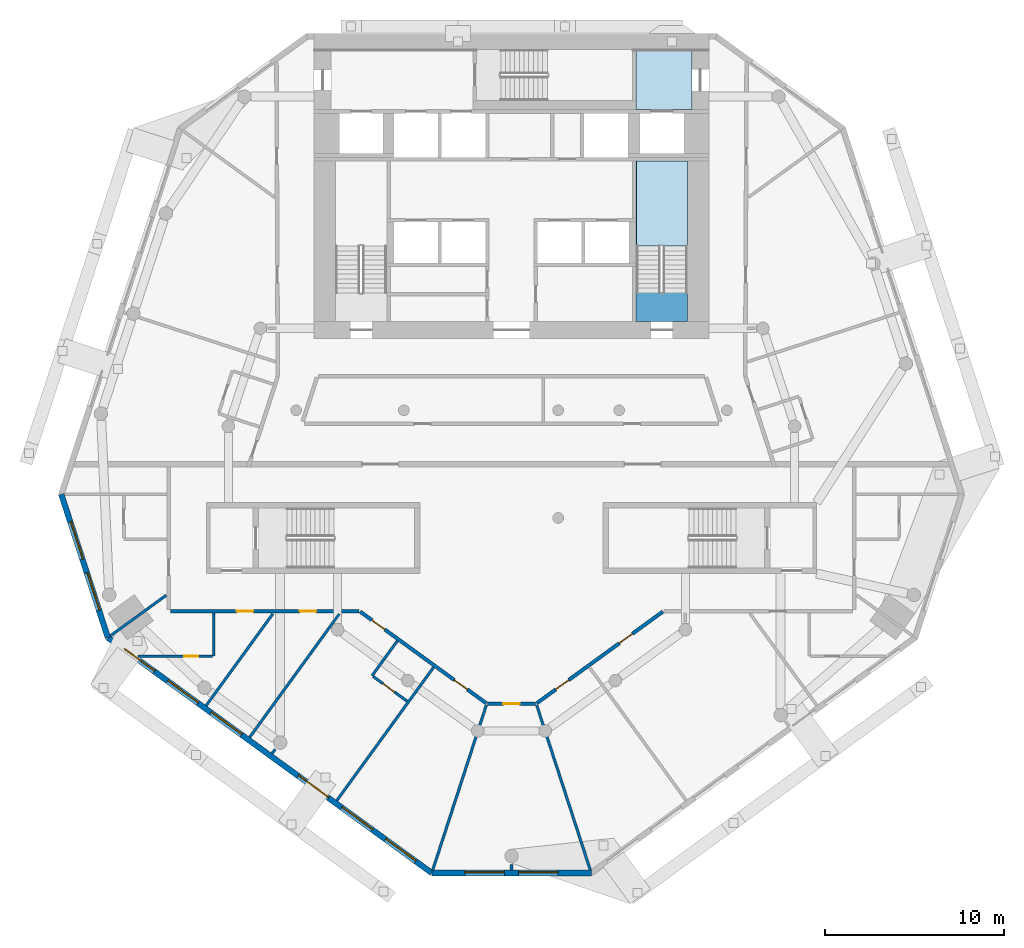
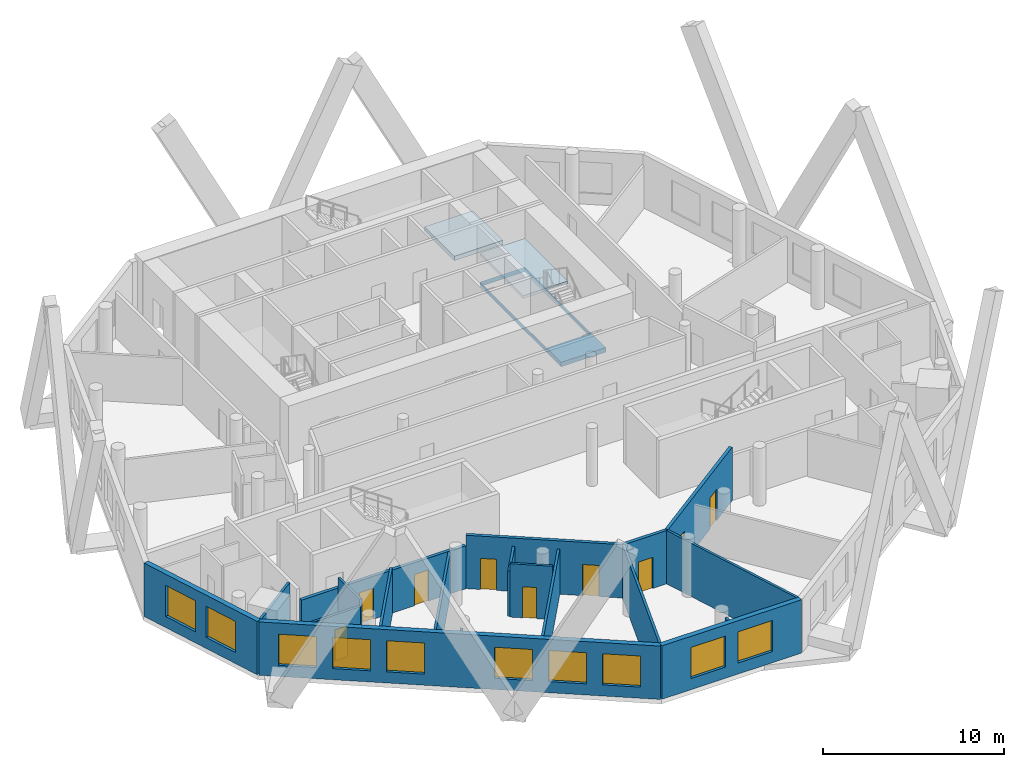
# One storey, part 3 of 10: 19 walls, 10 windows, 9 doors, 3 slabs, 19 openings, 1 element without a shape of its own.
"""IFC4 building model written with IfcOpenShell, lengths in metres."""

from ifc_helpers import new_model, si_unit, direction, frame, frame_2d, origin, place, context, subcontext, project, spatial, polyline, rectangle, outline, extrude, material, layer, layer_set, type_object, element, fill, aggregate, save


model = new_model("IFC4")

# Units and contexts
model_context = context("Model", 3, precision=1e-05, world=origin(), true_north=direction((0.0, 1.0)))
body_context = subcontext(model_context, "Body", "Model", "MODEL_VIEW")
ifc_project = project(units=[si_unit("LENGTHUNIT", "METRE"), si_unit("AREAUNIT", "SQUARE_METRE"), si_unit("VOLUMEUNIT", "CUBIC_METRE"), si_unit("PLANEANGLEUNIT", "RADIAN"), si_unit("MASSUNIT", "GRAM", prefix="KILO")], contexts=[model_context])

# Site, building, storey
site_placement = place(None, origin())
site = spatial("IfcSite", under=ifc_project, at=site_placement, CompositionType="ELEMENT")
building_placement = place(site_placement, origin())
building = spatial("IfcBuilding", under=site, at=building_placement, Name="White Candle Pilgrim Tower", CompositionType="ELEMENT")
storey_placement = place(building_placement, frame((0.0, 0.0, 172.0)))
storey = spatial("IfcBuildingStorey", under=building, at=storey_placement, Name="L39", CompositionType="ELEMENT", Elevation=172.0)

# Slabs
ifc_material_1 = material(Name="Concrete C40/50", Category="concrete")
ifc_layer_1 = layer(ifc_material_1, 0.300048828125)
ifc_layer_set_1 = layer_set([ifc_layer_1], Name="Core floor slab 300 mm Concrete C40/50")
slab_type_1 = type_object("IfcSlabType", Name="Core floor slab 300 mm Concrete C40/50", PredefinedType="FLOOR", material=ifc_layer_set_1)
slab_1_placement = place(storey_placement, frame((0.0, 0.0, -0.300048828125)))
element("IfcSlab", 1, at=slab_1_placement, inside=storey, type_object=slab_type_1, Name="CF-L39-06", PredefinedType="FLOOR", context=body_context, shape_type="SweptSolid", body=[
    extrude(outline(polyline([(80.050048828125, 87.050048828125), (80.050048828125, 83.75), (76.949951171875, 83.75), (76.949951171875, 84.25), (76.949951171875, 87.050048828125), (80.050048828125, 87.050048828125)])), origin(), (0.0, 0.0, 1.0), 0.300048828125),
])
slab_2_placement = place(storey_placement, frame((0.0, 0.0, -0.300048828125)))
element("IfcSlab", 2, at=slab_2_placement, inside=storey, type_object=slab_type_1, Name="CF-L39-07", PredefinedType="FLOOR", context=body_context, shape_type="SweptSolid", body=[
    extrude(outline(polyline([(76.949951171875, 71.949951171875), (76.949951171875, 75.0), (76.949951171875, 75.199951171875), (76.949951171875, 77.5), (76.949951171875, 77.699951171875), (76.949951171875, 80.89990234375), (79.800048828125, 80.89990234375), (79.800048828125, 71.949951171875), (76.949951171875, 71.949951171875)]), holes=[polyline([(76.951904296875, 73.552001953125), (79.798095703125, 73.552001953125), (79.798095703125, 80.89794921875), (76.951904296875, 80.89794921875), (76.951904296875, 73.552001953125)])]), origin(), (0.0, 0.0, 1.0), 0.300048828125),
])

# Stair, slab
stair_type = type_object("IfcStairType", Name="Exit stair 2 flight width 1350 mm", PredefinedType="HALF_TURN_STAIR", material=ifc_material_1)
stair_placement = place(storey_placement, origin())
stair = element("IfcStair", 3, at=stair_placement, inside=storey, type_object=stair_type, Name="L39 stair 2", PredefinedType="NOTDEFINED")
ifc_layer_2 = layer(ifc_material_1, 0.199951171875)
ifc_layer_set_2 = layer_set([ifc_layer_2], Name="Stair landing Concrete C40/50")
slab_type_2 = type_object("IfcSlabType", Name="Stair landing Concrete C40/50", PredefinedType="LANDING", material=ifc_layer_set_2)
slab_3_placement = place(storey_placement, frame((0.0, 0.0, 1.75)))
slab_3 = element("IfcSlab", 4, at=slab_3_placement, type_object=slab_type_2, Name="ST2 landing 1", PredefinedType="LANDING", context=body_context, shape_type="SweptSolid", body=[
    extrude(outline(polyline([(79.802001953125, 76.14794921875), (76.947998046875, 76.14794921875), (76.947998046875, 80.902099609375), (79.802001953125, 80.902099609375), (79.802001953125, 76.14794921875)])), origin(), (0.0, 0.0, 1.0), 0.199951171875),
])
aggregate(stair, [slab_3])

# Wall, openings, doors
ifc_material_2 = material(Name="Gypsum board on steel studs", Category="steel")
ifc_layer_3 = layer(ifc_material_2, 0.199951171875)
ifc_layer_set_3 = layer_set([ifc_layer_3], Name="Corridor wall 200 mm EI 45")
wall_type_1 = type_object("IfcWallType", Name="Corridor wall 200 mm EI 45", PredefinedType="PARTITIONING", material=ifc_layer_set_3)
wall_1_placement = place(storey_placement, frame((78.434326171875, 55.781005859375, 0.0), z_axis=(0.0, 0.0, 1.0), x_axis=(-0.809005658497, -0.587800854474, 0.0)))
wall_1 = element("IfcWall", 5, at=wall_1_placement, inside=storey, type_object=wall_type_1, Name="WL-L39-P008", PredefinedType="PARTITIONING", context=body_context, shape_type="SweptSolid", body=[
    extrude(rectangle(XDim=8.69140625, YDim=0.199951171875, at=frame_2d((4.345703125, 0.0))), origin(), (0.0, 0.0, 1.0), 3.60009765625),
])
opening_1_placement = place(wall_1_placement, frame((6.4794921875, 0.0, 0.0)))
opening_1 = element("IfcOpeningElement", 6, at=opening_1_placement, cuts=wall_1, Name="Opening T12-111", PredefinedType="OPENING", context=body_context, shape_type="SweptSolid", body=[
    extrude(rectangle(XDim=0.89990234375, YDim=2.10009765625, at=frame_2d((0.449951171875, 1.050048828125))), frame((0.0, 0.10986328125, 0.0), z_axis=(0.0, -1.0, 0.0), x_axis=(1.0, 0.0, 0.0)), (0.0, 0.0, 1.0), 0.219970703125),
])
opening_2_placement = place(wall_1_placement, frame((2.101318359375, 0.0, 0.0)))
opening_2 = element("IfcOpeningElement", 7, at=opening_2_placement, cuts=wall_1, Name="Opening T12-112", PredefinedType="OPENING", context=body_context, shape_type="SweptSolid", body=[
    extrude(rectangle(XDim=0.89990234375, YDim=2.10009765625, at=frame_2d((0.449951171875, 1.050048828125))), frame((0.0, 0.10986328125, 0.0), z_axis=(0.0, -1.0, 0.0), x_axis=(1.0, 0.0, 0.0)), (0.0, 0.0, 1.0), 0.219970703125),
])
ifc_material_3 = material(Name="Steel door leaf", Category="steel")
door_type_1 = type_object("IfcDoorType", Name="Fire door 900 x 2100 EI 30", OperationType="NOTDEFINED", PredefinedType="DOOR", material=ifc_material_3)
door_1_placement = place(opening_1_placement, origin())
door_1 = element("IfcDoor", 8, at=door_1_placement, inside=storey, type_object=door_type_1, Name="Door T12-111", OperationType="SINGLE_SWING_LEFT", OverallHeight=2.10009765625, OverallWidth=0.89990234375, PredefinedType="DOOR", context=body_context, shape_type="SweptSolid", body=[
    extrude(rectangle(XDim=0.89990234375, YDim=2.10009765625, at=frame_2d((0.449951171875, 1.050048828125))), frame((0.0, 0.02490234375, 0.0), z_axis=(0.0, -1.0, 0.0), x_axis=(1.0, 0.0, 0.0)), (0.0, 0.0, 1.0), 0.050048828125),
])
fill(opening_1, door_1)
door_2_placement = place(opening_2_placement, origin())
door_2 = element("IfcDoor", 9, at=door_2_placement, inside=storey, type_object=door_type_1, Name="Door T12-112", OperationType="SINGLE_SWING_RIGHT", OverallHeight=2.10009765625, OverallWidth=0.89990234375, PredefinedType="DOOR", context=body_context, shape_type="SweptSolid", body=[
    extrude(rectangle(XDim=0.89990234375, YDim=2.10009765625, at=frame_2d((0.449951171875, 1.050048828125))), frame((0.0, 0.02490234375, 0.0), z_axis=(0.0, -1.0, 0.0), x_axis=(1.0, 0.0, 0.0)), (0.0, 0.0, 1.0), 0.050048828125),
])
fill(opening_2, door_2)

# Wall, opening, door
wall_2_placement = place(storey_placement, frame((71.343994140625, 50.653076171875, 0.0), z_axis=(0.0, 0.0, 1.0), x_axis=(-1.0, 0.0, 0.0)))
wall_2 = element("IfcWall", 10, at=wall_2_placement, inside=storey, type_object=wall_type_1, Name="WL-L39-P009", PredefinedType="PARTITIONING", context=body_context, shape_type="SweptSolid", body=[
    extrude(rectangle(XDim=2.68798828125, YDim=0.199951171875, at=frame_2d((1.343994140625, 0.0))), origin(), (0.0, 0.0, 1.0), 3.60009765625),
])
opening_3_placement = place(wall_2_placement, frame((0.89404296875, 0.0, 0.0)))
opening_3 = element("IfcOpeningElement", 11, at=opening_3_placement, cuts=wall_2, Name="Opening T12-110", PredefinedType="OPENING", context=body_context, shape_type="SweptSolid", body=[
    extrude(rectangle(XDim=0.89990234375, YDim=2.10009765625, at=frame_2d((0.449951171875, 1.050048828125))), frame((0.0, 0.10986328125, 0.0), z_axis=(0.0, -1.0, 0.0), x_axis=(1.0, 0.0, 0.0)), (0.0, 0.0, 1.0), 0.219970703125),
])
door_3_placement = place(opening_3_placement, origin())
door_3 = element("IfcDoor", 12, at=door_3_placement, inside=storey, type_object=door_type_1, Name="Door T12-110", OperationType="SINGLE_SWING_RIGHT", OverallHeight=2.10009765625, OverallWidth=0.89990234375, PredefinedType="DOOR", context=body_context, shape_type="SweptSolid", body=[
    extrude(rectangle(XDim=0.89990234375, YDim=2.10009765625, at=frame_2d((0.449951171875, 1.050048828125))), frame((0.0, 0.02490234375, 0.0), z_axis=(0.0, -1.0, 0.0), x_axis=(1.0, 0.0, 0.0)), (0.0, 0.0, 1.0), 0.050048828125),
])
fill(opening_3, door_3)

# Wall, openings, doors
wall_3_placement = place(storey_placement, frame((68.59716796875, 50.672119140625, 0.0), z_axis=(0.0, 0.0, 1.0), x_axis=(-0.809005658497, 0.587800854474, 0.0)))
wall_3 = element("IfcWall", 13, at=wall_3_placement, inside=storey, type_object=wall_type_1, Name="WL-L39-P010", PredefinedType="PARTITIONING", context=body_context, shape_type="SweptSolid", body=[
    extrude(rectangle(XDim=8.69140625, YDim=0.199951171875, at=frame_2d((4.345703125, 0.0))), origin(), (0.0, 0.0, 1.0), 3.60009765625),
])
opening_4_placement = place(wall_3_placement, frame((6.990478515625, 0.0, 0.0)))
opening_4 = element("IfcOpeningElement", 14, at=opening_4_placement, cuts=wall_3, Name="Opening T12-108", PredefinedType="OPENING", context=body_context, shape_type="SweptSolid", body=[
    extrude(rectangle(XDim=0.89990234375, YDim=2.10009765625, at=frame_2d((0.449951171875, 1.050048828125))), frame((0.0, 0.10986328125, 0.0), z_axis=(0.0, -1.0, 0.0), x_axis=(1.0, 0.0, 0.0)), (0.0, 0.0, 1.0), 0.219970703125),
])
opening_5_placement = place(wall_3_placement, frame((1.31201171875, 0.0, 0.0)))
opening_5 = element("IfcOpeningElement", 15, at=opening_5_placement, cuts=wall_3, Name="Opening T12-109", PredefinedType="OPENING", context=body_context, shape_type="SweptSolid", body=[
    extrude(rectangle(XDim=0.89990234375, YDim=2.10009765625, at=frame_2d((0.449951171875, 1.050048828125))), frame((0.0, 0.10986328125, 0.0), z_axis=(0.0, -1.0, 0.0), x_axis=(1.0, 0.0, 0.0)), (0.0, 0.0, 1.0), 0.219970703125),
])
door_4_placement = place(opening_4_placement, origin())
door_4 = element("IfcDoor", 16, at=door_4_placement, inside=storey, type_object=door_type_1, Name="Door T12-108", OperationType="SINGLE_SWING_RIGHT", OverallHeight=2.10009765625, OverallWidth=0.89990234375, PredefinedType="DOOR", context=body_context, shape_type="SweptSolid", body=[
    extrude(rectangle(XDim=0.89990234375, YDim=2.10009765625, at=frame_2d((0.449951171875, 1.050048828125))), frame((0.0, 0.02490234375, 0.0), z_axis=(0.0, -1.0, 0.0), x_axis=(1.0, 0.0, 0.0)), (0.0, 0.0, 1.0), 0.050048828125),
])
fill(opening_4, door_4)
door_5_placement = place(opening_5_placement, origin())
door_5 = element("IfcDoor", 17, at=door_5_placement, inside=storey, type_object=door_type_1, Name="Door T12-109", OperationType="SINGLE_SWING_LEFT", OverallHeight=2.10009765625, OverallWidth=0.89990234375, PredefinedType="DOOR", context=body_context, shape_type="SweptSolid", body=[
    extrude(rectangle(XDim=0.89990234375, YDim=2.10009765625, at=frame_2d((0.449951171875, 1.050048828125))), frame((0.0, 0.02490234375, 0.0), z_axis=(0.0, -1.0, 0.0), x_axis=(1.0, 0.0, 0.0)), (0.0, 0.0, 1.0), 0.050048828125),
])
fill(opening_5, door_5)

wall_4_placement = place(storey_placement, frame((61.5068359375, 55.800048828125, 0.0), z_axis=(0.0, 0.0, 1.0), x_axis=(-1.0, 0.0, 0.0)))
wall_4 = element("IfcWall", 18, at=wall_4_placement, inside=storey, type_object=wall_type_1, Name="WL-L39-P011", PredefinedType="PARTITIONING", context=body_context, shape_type="SweptSolid", body=[
    extrude(rectangle(XDim=10.5068359375, YDim=0.199951171875, at=frame_2d((5.25341796875, 0.0))), origin(), (0.0, 0.0, 1.0), 2.89990234375),
])
opening_6_placement = place(wall_4_placement, frame((5.90576171875, 0.0, 0.0)))
opening_6 = element("IfcOpeningElement", 19, at=opening_6_placement, cuts=wall_4, Name="Opening T12-105", PredefinedType="OPENING", context=body_context, shape_type="SweptSolid", body=[
    extrude(rectangle(XDim=0.89990234375, YDim=2.10009765625, at=frame_2d((0.449951171875, 1.050048828125))), frame((0.0, 0.10986328125, 0.0), z_axis=(0.0, -1.0, 0.0), x_axis=(1.0, 0.0, 0.0)), (0.0, 0.0, 1.0), 0.219970703125),
])
opening_7_placement = place(wall_4_placement, frame((2.40087890625, 0.0, 0.0)))
opening_7 = element("IfcOpeningElement", 20, at=opening_7_placement, cuts=wall_4, Name="Opening T12-106", PredefinedType="OPENING", context=body_context, shape_type="SweptSolid", body=[
    extrude(rectangle(XDim=0.89990234375, YDim=2.10009765625, at=frame_2d((0.449951171875, 1.050048828125))), frame((0.0, 0.10986328125, 0.0), z_axis=(0.0, -1.0, 0.0), x_axis=(1.0, 0.0, 0.0)), (0.0, 0.0, 1.0), 0.219970703125),
])
door_6_placement = place(opening_6_placement, origin())
door_6 = element("IfcDoor", 21, at=door_6_placement, inside=storey, type_object=door_type_1, Name="Door T12-105", OperationType="SINGLE_SWING_LEFT", OverallHeight=2.10009765625, OverallWidth=0.89990234375, PredefinedType="DOOR", context=body_context, shape_type="SweptSolid", body=[
    extrude(rectangle(XDim=0.89990234375, YDim=2.10009765625, at=frame_2d((0.449951171875, 1.050048828125))), frame((0.0, 0.02490234375, 0.0), z_axis=(0.0, -1.0, 0.0), x_axis=(1.0, 0.0, 0.0)), (0.0, 0.0, 1.0), 0.050048828125),
])
fill(opening_6, door_6)
door_7_placement = place(opening_7_placement, origin())
door_7 = element("IfcDoor", 22, at=door_7_placement, inside=storey, type_object=door_type_1, Name="Door T12-106", OperationType="SINGLE_SWING_RIGHT", OverallHeight=2.10009765625, OverallWidth=0.89990234375, PredefinedType="DOOR", context=body_context, shape_type="SweptSolid", body=[
    extrude(rectangle(XDim=0.89990234375, YDim=2.10009765625, at=frame_2d((0.449951171875, 1.050048828125))), frame((0.0, 0.02490234375, 0.0), z_axis=(0.0, -1.0, 0.0), x_axis=(1.0, 0.0, 0.0)), (0.0, 0.0, 1.0), 0.050048828125),
])
fill(opening_7, door_7)

# Wall, openings, windows
ifc_material_4 = material(Name="Precast concrete C40/50", Category="concrete")
ifc_layer_4 = layer(ifc_material_4, 0.320068359375)
ifc_layer_set_4 = layer_set([ifc_layer_4], Name="Facade wall EW1 precast concrete C40/50 pier wall with timber-lined reveals")
wall_type_2 = type_object("IfcWallType", Name="Facade wall EW1 precast concrete C40/50 pier wall with timber-lined reveals", PredefinedType="SOLIDWALL", material=ifc_layer_set_4)
wall_5_placement = place(storey_placement, frame((44.909912109375, 62.314453125, 0.0), z_axis=(0.0, 0.0, 1.0), x_axis=(0.309022961141, -0.951054577555, 0.0)))
wall_5 = element("IfcWall", 23, at=wall_5_placement, inside=storey, type_object=wall_type_2, Name="Facade wall L39 W chamfer", PredefinedType="SOLIDWALL", context=body_context, shape_type="SweptSolid", body=[
    extrude(rectangle(XDim=8.3974609375, YDim=0.320068359375, at=frame_2d((4.19873046875, 0.0))), origin(), (0.0, 0.0, 1.0), 3.60009765625),
])
opening_8_placement = place(wall_5_placement, frame((1.5986328125, 0.0, 0.75)))
opening_8 = element("IfcOpeningElement", 24, at=opening_8_placement, cuts=wall_5, Name="Opening W4", PredefinedType="OPENING", context=body_context, shape_type="SweptSolid", body=[
    extrude(rectangle(XDim=2.199951171875, YDim=2.10009765625, at=frame_2d((1.10009765625, 1.050048828125))), frame((0.0, 0.169921875, 0.0), z_axis=(0.0, -1.0, 0.0), x_axis=(1.0, 0.0, 0.0)), (0.0, 0.0, 1.0), 0.340087890625),
])
opening_9_placement = place(wall_5_placement, frame((4.5986328125, 0.0, 0.75)))
opening_9 = element("IfcOpeningElement", 25, at=opening_9_placement, cuts=wall_5, Name="Opening W4", PredefinedType="OPENING", context=body_context, shape_type="SweptSolid", body=[
    extrude(rectangle(XDim=2.199951171875, YDim=2.10009765625, at=frame_2d((1.10009765625, 1.050048828125))), frame((0.0, 0.169921875, 0.0), z_axis=(0.0, -1.0, 0.0), x_axis=(1.0, 0.0, 0.0)), (0.0, 0.0, 1.0), 0.340087890625),
])
ifc_material_5 = material(Name="Timber frame with triple glazing", Category="wood")
window_type_1 = type_object("IfcWindowType", Name="Window W4 2200x2100 timber frame triple glazing", PartitioningType="SINGLE_PANEL", PredefinedType="WINDOW", material=ifc_material_5)
window_1_placement = place(opening_8_placement, origin())
window_1 = element("IfcWindow", 26, at=window_1_placement, inside=storey, type_object=window_type_1, Name="Window W4 L39 W chamfer 1", OverallHeight=2.10009765625, OverallWidth=2.199951171875, PartitioningType="SINGLE_PANEL", PredefinedType="WINDOW", context=body_context, shape_type="SweptSolid", body=[
    extrude(rectangle(XDim=2.199951171875, YDim=2.10009765625, at=frame_2d((1.10009765625, 1.050048828125))), frame((0.0, 0.070068359375, 0.0), z_axis=(0.0, -1.0, 0.0), x_axis=(1.0, 0.0, 0.0)), (0.0, 0.0, 1.0), 0.06005859375),
])
fill(opening_8, window_1)
window_2_placement = place(opening_9_placement, origin())
window_2 = element("IfcWindow", 27, at=window_2_placement, inside=storey, type_object=window_type_1, Name="Window W4 L39 W chamfer 2", OverallHeight=2.10009765625, OverallWidth=2.199951171875, PartitioningType="SINGLE_PANEL", PredefinedType="WINDOW", context=body_context, shape_type="SweptSolid", body=[
    extrude(rectangle(XDim=2.199951171875, YDim=2.10009765625, at=frame_2d((1.10009765625, 1.050048828125))), frame((0.0, 0.070068359375, 0.0), z_axis=(0.0, -1.0, 0.0), x_axis=(1.0, 0.0, 0.0)), (0.0, 0.0, 1.0), 0.06005859375),
])
fill(opening_9, window_2)

wall_6_placement = place(storey_placement, frame((47.5048828125, 54.328125, 0.0), z_axis=(0.0, 0.0, 1.0), x_axis=(0.80901752216, -0.587784525858, 0.0)))
wall_6 = element("IfcWall", 28, at=wall_6_placement, inside=storey, type_object=wall_type_2, Name="Facade wall L39 SW", PredefinedType="SOLIDWALL", context=body_context, shape_type="SweptSolid", body=[
    extrude(rectangle(XDim=22.3125, YDim=0.320068359375, at=frame_2d((11.15625, 0.0))), origin(), (0.0, 0.0, 1.0), 3.60009765625),
])
opening_10_placement = place(wall_6_placement, frame((1.1064453125, 0.0, 0.75)))
opening_10 = element("IfcOpeningElement", 29, at=opening_10_placement, cuts=wall_6, Name="Opening W3", PredefinedType="OPENING", context=body_context, shape_type="SweptSolid", body=[
    extrude(rectangle(XDim=2.10009765625, YDim=2.10009765625, at=frame_2d((1.050048828125, 1.050048828125))), frame((0.0, 0.169921875, 0.0), z_axis=(0.0, -1.0, 0.0), x_axis=(1.0, 0.0, 0.0)), (0.0, 0.0, 1.0), 0.340087890625),
])
opening_11_placement = place(wall_6_placement, frame((4.1064453125, 0.0, 0.75)))
opening_11 = element("IfcOpeningElement", 30, at=opening_11_placement, cuts=wall_6, Name="Opening W3", PredefinedType="OPENING", context=body_context, shape_type="SweptSolid", body=[
    extrude(rectangle(XDim=2.10009765625, YDim=2.10009765625, at=frame_2d((1.050048828125, 1.050048828125))), frame((0.0, 0.169921875, 0.0), z_axis=(0.0, -1.0, 0.0), x_axis=(1.0, 0.0, 0.0)), (0.0, 0.0, 1.0), 0.340087890625),
])
opening_12_placement = place(wall_6_placement, frame((7.1064453125, 0.0, 0.75)))
opening_12 = element("IfcOpeningElement", 31, at=opening_12_placement, cuts=wall_6, Name="Opening W3", PredefinedType="OPENING", context=body_context, shape_type="SweptSolid", body=[
    extrude(rectangle(XDim=2.10009765625, YDim=2.10009765625, at=frame_2d((1.050048828125, 1.050048828125))), frame((0.0, 0.169921875, 0.0), z_axis=(0.0, -1.0, 0.0), x_axis=(1.0, 0.0, 0.0)), (0.0, 0.0, 1.0), 0.340087890625),
])
opening_13_placement = place(wall_6_placement, frame((13.1064453125, 0.0, 0.75)))
opening_13 = element("IfcOpeningElement", 32, at=opening_13_placement, cuts=wall_6, Name="Opening W3", PredefinedType="OPENING", context=body_context, shape_type="SweptSolid", body=[
    extrude(rectangle(XDim=2.10009765625, YDim=2.10009765625, at=frame_2d((1.050048828125, 1.050048828125))), frame((0.0, 0.169921875, 0.0), z_axis=(0.0, -1.0, 0.0), x_axis=(1.0, 0.0, 0.0)), (0.0, 0.0, 1.0), 0.340087890625),
])
opening_14_placement = place(wall_6_placement, frame((16.1064453125, 0.0, 0.75)))
opening_14 = element("IfcOpeningElement", 33, at=opening_14_placement, cuts=wall_6, Name="Opening W3", PredefinedType="OPENING", context=body_context, shape_type="SweptSolid", body=[
    extrude(rectangle(XDim=2.10009765625, YDim=2.10009765625, at=frame_2d((1.050048828125, 1.050048828125))), frame((0.0, 0.169921875, 0.0), z_axis=(0.0, -1.0, 0.0), x_axis=(1.0, 0.0, 0.0)), (0.0, 0.0, 1.0), 0.340087890625),
])
opening_15_placement = place(wall_6_placement, frame((19.1064453125, 0.0, 0.75)))
opening_15 = element("IfcOpeningElement", 34, at=opening_15_placement, cuts=wall_6, Name="Opening W3", PredefinedType="OPENING", context=body_context, shape_type="SweptSolid", body=[
    extrude(rectangle(XDim=2.10009765625, YDim=2.10009765625, at=frame_2d((1.050048828125, 1.050048828125))), frame((0.0, 0.169921875, 0.0), z_axis=(0.0, -1.0, 0.0), x_axis=(1.0, 0.0, 0.0)), (0.0, 0.0, 1.0), 0.340087890625),
])
window_type_2 = type_object("IfcWindowType", Name="Window W3 2100x2100 timber frame triple glazing", PartitioningType="SINGLE_PANEL", PredefinedType="WINDOW", material=ifc_material_5)
window_3_placement = place(opening_10_placement, origin())
window_3 = element("IfcWindow", 35, at=window_3_placement, inside=storey, type_object=window_type_2, Name="Window W3 L39 SW 1", OverallHeight=2.10009765625, OverallWidth=2.10009765625, PartitioningType="SINGLE_PANEL", PredefinedType="WINDOW", context=body_context, shape_type="SweptSolid", body=[
    extrude(rectangle(XDim=2.10009765625, YDim=2.10009765625, at=frame_2d((1.050048828125, 1.050048828125))), frame((0.0, 0.070068359375, 0.0), z_axis=(0.0, -1.0, 0.0), x_axis=(1.0, 0.0, 0.0)), (0.0, 0.0, 1.0), 0.06005859375),
])
fill(opening_10, window_3)
window_4_placement = place(opening_11_placement, origin())
window_4 = element("IfcWindow", 36, at=window_4_placement, inside=storey, type_object=window_type_2, Name="Window W3 L39 SW 2", OverallHeight=2.10009765625, OverallWidth=2.10009765625, PartitioningType="SINGLE_PANEL", PredefinedType="WINDOW", context=body_context, shape_type="SweptSolid", body=[
    extrude(rectangle(XDim=2.10009765625, YDim=2.10009765625, at=frame_2d((1.050048828125, 1.050048828125))), frame((0.0, 0.070068359375, 0.0), z_axis=(0.0, -1.0, 0.0), x_axis=(1.0, 0.0, 0.0)), (0.0, 0.0, 1.0), 0.06005859375),
])
fill(opening_11, window_4)
window_5_placement = place(opening_12_placement, origin())
window_5 = element("IfcWindow", 37, at=window_5_placement, inside=storey, type_object=window_type_2, Name="Window W3 L39 SW 3", OverallHeight=2.10009765625, OverallWidth=2.10009765625, PartitioningType="SINGLE_PANEL", PredefinedType="WINDOW", context=body_context, shape_type="SweptSolid", body=[
    extrude(rectangle(XDim=2.10009765625, YDim=2.10009765625, at=frame_2d((1.050048828125, 1.050048828125))), frame((0.0, 0.070068359375, 0.0), z_axis=(0.0, -1.0, 0.0), x_axis=(1.0, 0.0, 0.0)), (0.0, 0.0, 1.0), 0.06005859375),
])
fill(opening_12, window_5)
window_6_placement = place(opening_13_placement, origin())
window_6 = element("IfcWindow", 38, at=window_6_placement, inside=storey, type_object=window_type_2, Name="Window W3 L39 SW 5", OverallHeight=2.10009765625, OverallWidth=2.10009765625, PartitioningType="SINGLE_PANEL", PredefinedType="WINDOW", context=body_context, shape_type="SweptSolid", body=[
    extrude(rectangle(XDim=2.10009765625, YDim=2.10009765625, at=frame_2d((1.050048828125, 1.050048828125))), frame((0.0, 0.070068359375, 0.0), z_axis=(0.0, -1.0, 0.0), x_axis=(1.0, 0.0, 0.0)), (0.0, 0.0, 1.0), 0.06005859375),
])
fill(opening_13, window_6)
window_7_placement = place(opening_14_placement, origin())
window_7 = element("IfcWindow", 39, at=window_7_placement, inside=storey, type_object=window_type_2, Name="Window W3 L39 SW 6", OverallHeight=2.10009765625, OverallWidth=2.10009765625, PartitioningType="SINGLE_PANEL", PredefinedType="WINDOW", context=body_context, shape_type="SweptSolid", body=[
    extrude(rectangle(XDim=2.10009765625, YDim=2.10009765625, at=frame_2d((1.050048828125, 1.050048828125))), frame((0.0, 0.070068359375, 0.0), z_axis=(0.0, -1.0, 0.0), x_axis=(1.0, 0.0, 0.0)), (0.0, 0.0, 1.0), 0.06005859375),
])
fill(opening_14, window_7)
window_8_placement = place(opening_15_placement, origin())
window_8 = element("IfcWindow", 40, at=window_8_placement, inside=storey, type_object=window_type_2, Name="Window W3 L39 SW 7", OverallHeight=2.10009765625, OverallWidth=2.10009765625, PartitioningType="SINGLE_PANEL", PredefinedType="WINDOW", context=body_context, shape_type="SweptSolid", body=[
    extrude(rectangle(XDim=2.10009765625, YDim=2.10009765625, at=frame_2d((1.050048828125, 1.050048828125))), frame((0.0, 0.070068359375, 0.0), z_axis=(0.0, -1.0, 0.0), x_axis=(1.0, 0.0, 0.0)), (0.0, 0.0, 1.0), 0.06005859375),
])
fill(opening_15, window_8)

wall_7_placement = place(storey_placement, frame((65.55615234375, 41.213134765625, 0.0), z_axis=(0.0, 0.0, 1.0), x_axis=(1.0, 0.0, 0.0)))
wall_7 = element("IfcWall", 41, at=wall_7_placement, inside=storey, type_object=wall_type_2, Name="Facade wall L39 S chamfer", PredefinedType="SOLIDWALL", context=body_context, shape_type="SweptSolid", body=[
    extrude(rectangle(XDim=8.8876953125, YDim=0.320068359375, at=frame_2d((4.44384765625, 0.0))), origin(), (0.0, 0.0, 1.0), 3.60009765625),
])
opening_16_placement = place(wall_7_placement, frame((1.84375, 0.0, 0.75)))
opening_16 = element("IfcOpeningElement", 42, at=opening_16_placement, cuts=wall_7, Name="Opening W4", PredefinedType="OPENING", context=body_context, shape_type="SweptSolid", body=[
    extrude(rectangle(XDim=2.199951171875, YDim=2.10009765625, at=frame_2d((1.10009765625, 1.050048828125))), frame((0.0, 0.169921875, 0.0), z_axis=(0.0, -1.0, 0.0), x_axis=(1.0, 0.0, 0.0)), (0.0, 0.0, 1.0), 0.340087890625),
])
opening_17_placement = place(wall_7_placement, frame((4.84375, 0.0, 0.75)))
opening_17 = element("IfcOpeningElement", 43, at=opening_17_placement, cuts=wall_7, Name="Opening W4", PredefinedType="OPENING", context=body_context, shape_type="SweptSolid", body=[
    extrude(rectangle(XDim=2.199951171875, YDim=2.10009765625, at=frame_2d((1.10009765625, 1.050048828125))), frame((0.0, 0.169921875, 0.0), z_axis=(0.0, -1.0, 0.0), x_axis=(1.0, 0.0, 0.0)), (0.0, 0.0, 1.0), 0.340087890625),
])
window_9_placement = place(opening_16_placement, origin())
window_9 = element("IfcWindow", 44, at=window_9_placement, inside=storey, type_object=window_type_1, Name="Window W4 L39 S chamfer 1", OverallHeight=2.10009765625, OverallWidth=2.199951171875, PartitioningType="SINGLE_PANEL", PredefinedType="WINDOW", context=body_context, shape_type="SweptSolid", body=[
    extrude(rectangle(XDim=2.199951171875, YDim=2.10009765625, at=frame_2d((1.10009765625, 1.050048828125))), frame((0.0, 0.070068359375, 0.0), z_axis=(0.0, -1.0, 0.0), x_axis=(1.0, 0.0, 0.0)), (0.0, 0.0, 1.0), 0.06005859375),
])
fill(opening_16, window_9)
window_10_placement = place(opening_17_placement, origin())
window_10 = element("IfcWindow", 45, at=window_10_placement, inside=storey, type_object=window_type_1, Name="Window W4 L39 S chamfer 2", OverallHeight=2.10009765625, OverallWidth=2.199951171875, PartitioningType="SINGLE_PANEL", PredefinedType="WINDOW", context=body_context, shape_type="SweptSolid", body=[
    extrude(rectangle(XDim=2.199951171875, YDim=2.10009765625, at=frame_2d((1.10009765625, 1.050048828125))), frame((0.0, 0.070068359375, 0.0), z_axis=(0.0, -1.0, 0.0), x_axis=(1.0, 0.0, 0.0)), (0.0, 0.0, 1.0), 0.06005859375),
])
fill(opening_17, window_10)

# Walls
ifc_layer_5 = layer(ifc_material_2, 0.14990234375)
ifc_layer_set_5 = layer_set([ifc_layer_5], Name="Partition 150 mm EI 60")
wall_type_3 = type_object("IfcWallType", Name="Partition 150 mm EI 60", PredefinedType="PARTITIONING", material=ifc_layer_set_5)
wall_8_placement = place(storey_placement, frame((47.64111328125, 54.427001953125, 0.0), z_axis=(0.0, 0.0, 1.0), x_axis=(0.808993762588, 0.587817226775, 0.0)))
element("IfcWall", 46, at=wall_8_placement, inside=storey, type_object=wall_type_3, Name="WL-L39-P019", PredefinedType="PARTITIONING", context=body_context, shape_type="SweptSolid", body=[
    extrude(rectangle(XDim=3.85009765625, YDim=0.14990234375, at=frame_2d((1.925048828125, 0.0))), origin(), (0.0, 0.0, 1.0), 3.60009765625),
])
for number, where, z_axis, x_axis, name in (
    (47, (65.608154296875, 41.373046875, 0.0), (0.0, 0.0, 1.0), (0.309017584441, 0.951056324571, 0.0), "WL-L39-P020"),
    (48, (74.391845703125, 41.373046875, 0.0), (0.0, 0.0, 1.0), (-0.309017584441, 0.951056324571, 0.0), "WL-L39-P021"),
):
    element("IfcWall", number, at=place(storey_placement, frame(where, z_axis=z_axis, x_axis=x_axis)), inside=storey, type_object=wall_type_3, Name=name, PredefinedType="PARTITIONING", context=body_context, shape_type="SweptSolid", body=[
        extrude(rectangle(XDim=9.672607421875, YDim=0.14990234375, at=frame_2d((4.83642578125, 0.0))), origin(), (0.0, 0.0, 1.0), 3.60009765625),
    ])
wall_9_placement = place(storey_placement, frame((52.98388671875, 50.545166015625, 0.0), z_axis=(0.0, 0.0, 1.0), x_axis=(0.587799384359, 0.809006726639, 0.0)))
element("IfcWall", 49, at=wall_9_placement, inside=storey, type_object=wall_type_3, Name="WL-L39-P031", PredefinedType="PARTITIONING", context=body_context, shape_type="SweptSolid", body=[
    extrude(rectangle(XDim=6.3173828125, YDim=0.14990234375, at=frame_2d((3.15869140625, 0.0))), origin(), (0.0, 0.0, 1.0), 3.14990234375),
])
wall_10_placement = place(storey_placement, frame((55.4111328125, 48.78173828125, 0.0), z_axis=(0.0, 0.0, 1.0), x_axis=(0.587780401156, 0.80902051891, 0.0)))
element("IfcWall", 50, at=wall_10_placement, inside=storey, type_object=wall_type_3, Name="WL-L39-P032", PredefinedType="PARTITIONING", context=body_context, shape_type="SweptSolid", body=[
    extrude(rectangle(XDim=8.4970703125, YDim=0.14990234375, at=frame_2d((4.24853515625, 0.0))), origin(), (0.0, 0.0, 1.0), 2.89990234375),
])
wall_11_placement = place(storey_placement, frame((60.26513671875, 45.2548828125, 0.0), z_axis=(0.0, 0.0, 1.0), x_axis=(0.587765230576, 0.809031540625, 0.0)))
element("IfcWall", 51, at=wall_11_placement, inside=storey, type_object=wall_type_3, Name="WL-L39-P033", PredefinedType="PARTITIONING", context=body_context, shape_type="SweptSolid", body=[
    extrude(rectangle(XDim=9.18017578125, YDim=0.14990234375, at=frame_2d((4.590087890625, 0.0))), origin(), (0.0, 0.0, 1.0), 3.050048828125),
])
wall_12_placement = place(storey_placement, frame((53.39990234375, 55.699951171875, 0.0), z_axis=(0.0, 0.0, 1.0), x_axis=(0.0, -1.0, 0.0)))
element("IfcWall", 52, at=wall_12_placement, inside=storey, type_object=wall_type_3, Name="WL-L39-P034", PredefinedType="PARTITIONING", context=body_context, shape_type="SweptSolid", body=[
    extrude(rectangle(XDim=2.39990234375, YDim=0.14990234375, at=frame_2d((1.199951171875, 0.0))), origin(), (0.0, 0.0, 1.0), 3.60009765625),
])

# Wall, opening, door
wall_13_placement = place(storey_placement, frame((49.192138671875, 53.300048828125, 0.0), z_axis=(0.0, 0.0, 1.0), x_axis=(1.0, 0.0, 0.0)))
wall_13 = element("IfcWall", 53, at=wall_13_placement, inside=storey, type_object=wall_type_3, Name="WL-L39-P035", PredefinedType="PARTITIONING", context=body_context, shape_type="SweptSolid", body=[
    extrude(rectangle(XDim=4.1328125, YDim=0.14990234375, at=frame_2d((2.06640625, 0.0))), origin(), (0.0, 0.0, 1.0), 3.14990234375),
])
opening_18_placement = place(wall_13_placement, frame((2.557861328125, 0.0, 0.0)))
opening_18 = element("IfcOpeningElement", 54, at=opening_18_placement, cuts=wall_13, Name="Opening T12-104", PredefinedType="OPENING", context=body_context, shape_type="SweptSolid", body=[
    extrude(rectangle(XDim=0.800048828125, YDim=2.10009765625, at=frame_2d((0.39990234375, 1.050048828125))), frame((0.0, 0.0849609375, 0.0), z_axis=(0.0, -1.0, 0.0), x_axis=(1.0, 0.0, 0.0)), (0.0, 0.0, 1.0), 0.169921875),
])
door_type_2 = type_object("IfcDoorType", Name="Fire door 800 x 2100 EI 30", OperationType="NOTDEFINED", PredefinedType="DOOR", material=ifc_material_3)
door_8_placement = place(opening_18_placement, frame((0.800048828125, 0.0, 0.0), z_axis=(0.0, 0.0, 1.0), x_axis=(-1.0, 0.0, 0.0)))
door_8 = element("IfcDoor", 55, at=door_8_placement, inside=storey, type_object=door_type_2, Name="Door T12-104", OperationType="SINGLE_SWING_LEFT", OverallHeight=2.10009765625, OverallWidth=0.800048828125, PredefinedType="DOOR", context=body_context, shape_type="SweptSolid", body=[
    extrude(rectangle(XDim=0.800048828125, YDim=2.10009765625, at=frame_2d((0.39990234375, 1.050048828125))), frame((0.0, 0.02490234375, 0.0), z_axis=(0.0, -1.0, 0.0), x_axis=(1.0, 0.0, 0.0)), (0.0, 0.0, 1.0), 0.050048828125),
])
fill(opening_18, door_8)

# Wall
wall_14_placement = place(storey_placement, frame((63.638427734375, 54.1513671875, 0.0), z_axis=(0.0, 0.0, 1.0), x_axis=(-0.587772420479, -0.809026317077, 0.0)))
element("IfcWall", 56, at=wall_14_placement, inside=storey, type_object=wall_type_3, Name="WL-L39-P036", PredefinedType="PARTITIONING", context=body_context, shape_type="SweptSolid", body=[
    extrude(rectangle(XDim=2.39990234375, YDim=0.14990234375, at=frame_2d((1.199951171875, 0.0))), origin(), (0.0, 0.0, 1.0), 3.050048828125),
])

# Wall, opening, door
wall_15_placement = place(storey_placement, frame((64.189697265625, 50.7841796875, 0.0), z_axis=(0.0, 0.0, 1.0), x_axis=(-0.808996573949, 0.587813357571, 0.0)))
wall_15 = element("IfcWall", 57, at=wall_15_placement, inside=storey, type_object=wall_type_3, Name="WL-L39-P037", PredefinedType="PARTITIONING", context=body_context, shape_type="SweptSolid", body=[
    extrude(rectangle(XDim=2.35009765625, YDim=0.14990234375, at=frame_2d((1.175048828125, 0.0))), origin(), (0.0, 0.0, 1.0), 3.60009765625),
])
opening_19_placement = place(wall_15_placement, frame((0.875, 0.0, 0.0)))
opening_19 = element("IfcOpeningElement", 58, at=opening_19_placement, cuts=wall_15, Name="Opening T12-107", PredefinedType="OPENING", context=body_context, shape_type="SweptSolid", body=[
    extrude(rectangle(XDim=0.800048828125, YDim=2.10009765625, at=frame_2d((0.39990234375, 1.050048828125))), frame((0.0, 0.0849609375, 0.0), z_axis=(0.0, -1.0, 0.0), x_axis=(1.0, 0.0, 0.0)), (0.0, 0.0, 1.0), 0.169921875),
])
door_9_placement = place(opening_19_placement, origin())
door_9 = element("IfcDoor", 59, at=door_9_placement, inside=storey, type_object=door_type_2, Name="Door T12-107", OperationType="SINGLE_SWING_LEFT", OverallHeight=2.10009765625, OverallWidth=0.800048828125, PredefinedType="DOOR", context=body_context, shape_type="SweptSolid", body=[
    extrude(rectangle(XDim=0.800048828125, YDim=2.10009765625, at=frame_2d((0.39990234375, 1.050048828125))), frame((0.0, 0.02490234375, 0.0), z_axis=(0.0, -1.0, 0.0), x_axis=(1.0, 0.0, 0.0)), (0.0, 0.0, 1.0), 0.050048828125),
])
fill(opening_19, door_9)

# Walls
wall_16_placement = place(storey_placement, frame((56.8291015625, 48.109375, 0.0), z_axis=(0.0, 0.0, 1.0), x_axis=(-0.587519947193, -0.809209683364, 0.0)))
element("IfcWall", 60, at=wall_16_placement, inside=storey, type_object=wall_type_3, Name="WL-L39-P049", PredefinedType="PARTITIONING", context=body_context, shape_type="SweptSolid", body=[
    extrude(rectangle(XDim=0.28955078125, YDim=0.14990234375, at=frame_2d((0.144775390625, 0.0))), origin(), (0.0, 0.0, 1.0), 3.60009765625),
])
wall_17_placement = place(storey_placement, frame((70.002197265625, 41.695068359375, 0.0), z_axis=(0.0, 0.0, 1.0), x_axis=(0.0, -1.0, 0.0)))
element("IfcWall", 61, at=wall_17_placement, inside=storey, type_object=wall_type_3, Name="WL-L39-P050", PredefinedType="PARTITIONING", context=body_context, shape_type="SweptSolid", body=[
    extrude(rectangle(XDim=0.322021484375, YDim=0.14990234375, at=frame_2d((0.1611328125, 0.0))), origin(), (0.0, 0.0, 1.0), 3.60009765625),
])

save(model, "model.ifc")
